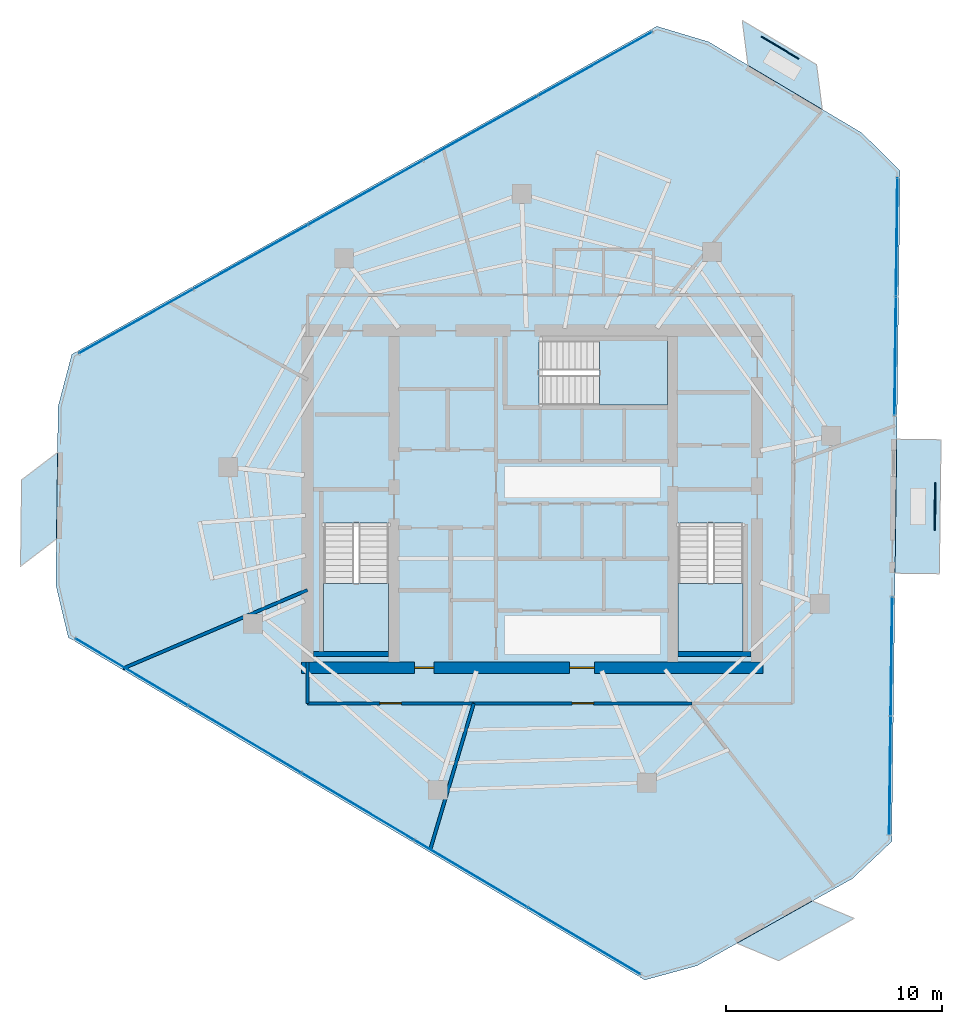
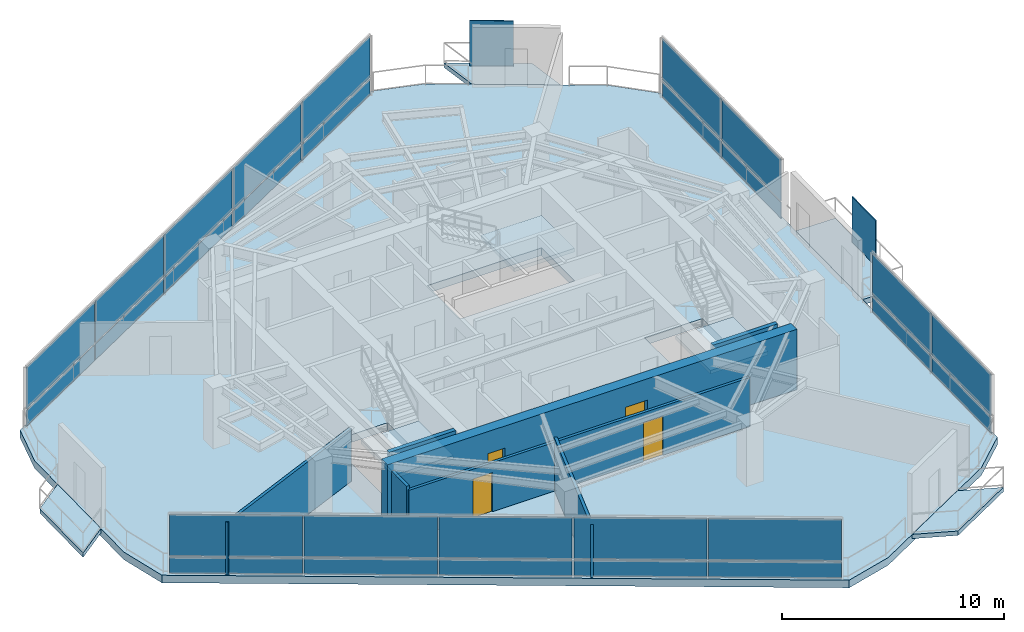
# One storey, part 13 of 18: 30 plates, 8 slabs, 8 walls, 4 doors, 4 openings, 7 elements without a shape of their own.
"""IFC4 building model written with IfcOpenShell, lengths in metres."""

from ifc_helpers import new_model, si_unit, direction, frame, frame_2d, origin, origin_2d, place, context, subcontext, project, spatial, polyline, rectangle, outline, extrude, material, layer, layer_set, type_object, element, fill, aggregate, save


model = new_model("IFC4")

# Units and contexts
model_context = context("Model", 3, precision=1e-05, world=origin(), true_north=direction((0.0, 1.0)))
body_context = subcontext(model_context, "Body", "Model", "MODEL_VIEW")
ifc_project = project(units=[si_unit("LENGTHUNIT", "METRE"), si_unit("AREAUNIT", "SQUARE_METRE"), si_unit("VOLUMEUNIT", "CUBIC_METRE"), si_unit("PLANEANGLEUNIT", "RADIAN"), si_unit("MASSUNIT", "GRAM", prefix="KILO")], contexts=[model_context])

# Site, building, storey
site_placement = place(None, origin())
site = spatial("IfcSite", under=ifc_project, at=site_placement, CompositionType="ELEMENT")
building_placement = place(site_placement, origin())
building = spatial("IfcBuilding", under=site, at=building_placement, Name="Qarnah Convention Tower", CompositionType="ELEMENT")
storey_placement = place(building_placement, frame((0.0, 0.0, 177.0)))
storey = spatial("IfcBuildingStorey", under=building, at=storey_placement, Name="L47", CompositionType="ELEMENT", Elevation=177.0)

# Curtain wall, plates
ifc_material_1 = material(Name="Tempered Low-E dark glass", Category="glass")
ifc_layer_1 = layer(ifc_material_1, 0.174072265625)
ifc_layer_set_1 = layer_set([ifc_layer_1], Name="Tempered Low-E dark glass")
curtain_wall_type = type_object("IfcCurtainWallType", Name="CWS-04", PredefinedType="NOTDEFINED", material=ifc_layer_set_1)
curtain_wall_1_placement = place(storey_placement, origin())
curtain_wall_1 = element("IfcCurtainWall", 1, at=curtain_wall_1_placement, inside=storey, type_object=curtain_wall_type, Name="L47 unitised curtain wall CW-L47-F1", PredefinedType="NOTDEFINED")
ifc_layer_2 = layer(ifc_material_1, 0.033935546875)
ifc_layer_set_2 = layer_set([ifc_layer_2], Name="Tempered Low-E dark glass")
plate_type_1 = type_object("IfcPlateType", Name="PNL-T4", PredefinedType="CURTAIN_PANEL", material=ifc_layer_set_2)
plate_1_placement = place(storey_placement, frame((39.593017578125, 5.963623046875, 0.0400390625), z_axis=(0.0, 0.0, 1.0), x_axis=(-0.859654078443, 0.510876565734, 0.0)))
plate_1 = element("IfcPlate", 2, at=plate_1_placement, type_object=plate_type_1, Name="CW-L47-F1 curtain panel 1.1", PredefinedType="CURTAIN_PANEL", context=body_context, shape_type="SweptSolid", body=[
    extrude(rectangle(XDim=6.00634765625, YDim=0.033935546875, at=origin_2d()), origin(), (0.0, 0.0, 1.0), 0.8701171875),
])
plate_2_placement = place(storey_placement, frame((39.593017578125, 5.963623046875, 0.989990234375), z_axis=(0.0, 0.0, 1.0), x_axis=(-0.859654078443, 0.510876565734, 0.0)))
plate_2 = element("IfcPlate", 3, at=plate_2_placement, type_object=plate_type_1, Name="CW-L47-F1 curtain panel 1.2", PredefinedType="CURTAIN_PANEL", context=body_context, shape_type="SweptSolid", body=[
    extrude(rectangle(XDim=6.00634765625, YDim=0.033935546875, at=origin_2d()), origin(), (0.0, 0.0, 1.0), 2.2900390625),
])
plate_3_placement = place(storey_placement, frame((34.360595703125, 9.072998046875, 0.0400390625), z_axis=(0.0, 0.0, 1.0), x_axis=(-0.859654078443, 0.510876565734, 0.0)))
plate_3 = element("IfcPlate", 4, at=plate_3_placement, type_object=plate_type_1, Name="CW-L47-F1 curtain panel 2.1", PredefinedType="CURTAIN_PANEL", context=body_context, shape_type="SweptSolid", body=[
    extrude(rectangle(XDim=6.00634765625, YDim=0.033935546875, at=origin_2d()), origin(), (0.0, 0.0, 1.0), 0.8701171875),
])
plate_4_placement = place(storey_placement, frame((34.360595703125, 9.072998046875, 0.989990234375), z_axis=(0.0, 0.0, 1.0), x_axis=(-0.859654078443, 0.510876565734, 0.0)))
plate_4 = element("IfcPlate", 5, at=plate_4_placement, type_object=plate_type_1, Name="CW-L47-F1 curtain panel 2.2", PredefinedType="CURTAIN_PANEL", context=body_context, shape_type="SweptSolid", body=[
    extrude(rectangle(XDim=6.00634765625, YDim=0.033935546875, at=origin_2d()), origin(), (0.0, 0.0, 1.0), 2.2900390625),
])
plate_5_placement = place(storey_placement, frame((29.12841796875, 12.1826171875, 0.0400390625), z_axis=(0.0, 0.0, 1.0), x_axis=(-0.859654078443, 0.510876565734, 0.0)))
plate_5 = element("IfcPlate", 6, at=plate_5_placement, type_object=plate_type_1, Name="CW-L47-F1 curtain panel 3.1", PredefinedType="CURTAIN_PANEL", context=body_context, shape_type="SweptSolid", body=[
    extrude(rectangle(XDim=6.00634765625, YDim=0.033935546875, at=origin_2d()), origin(), (0.0, 0.0, 1.0), 0.8701171875),
])
plate_6_placement = place(storey_placement, frame((29.12841796875, 12.1826171875, 0.989990234375), z_axis=(0.0, 0.0, 1.0), x_axis=(-0.859654078443, 0.510876565734, 0.0)))
plate_6 = element("IfcPlate", 7, at=plate_6_placement, type_object=plate_type_1, Name="CW-L47-F1 curtain panel 3.2", PredefinedType="CURTAIN_PANEL", context=body_context, shape_type="SweptSolid", body=[
    extrude(rectangle(XDim=6.00634765625, YDim=0.033935546875, at=origin_2d()), origin(), (0.0, 0.0, 1.0), 2.2900390625),
])
plate_7_placement = place(storey_placement, frame((23.896240234375, 15.2919921875, 0.0400390625), z_axis=(0.0, 0.0, 1.0), x_axis=(-0.859654078443, 0.510876565734, 0.0)))
plate_7 = element("IfcPlate", 8, at=plate_7_placement, type_object=plate_type_1, Name="CW-L47-F1 curtain panel 4.1", PredefinedType="CURTAIN_PANEL", context=body_context, shape_type="SweptSolid", body=[
    extrude(rectangle(XDim=6.00634765625, YDim=0.033935546875, at=origin_2d()), origin(), (0.0, 0.0, 1.0), 0.8701171875),
])
plate_8_placement = place(storey_placement, frame((23.896240234375, 15.2919921875, 0.989990234375), z_axis=(0.0, 0.0, 1.0), x_axis=(-0.859654078443, 0.510876565734, 0.0)))
plate_8 = element("IfcPlate", 9, at=plate_8_placement, type_object=plate_type_1, Name="CW-L47-F1 curtain panel 4.2", PredefinedType="CURTAIN_PANEL", context=body_context, shape_type="SweptSolid", body=[
    extrude(rectangle(XDim=6.00634765625, YDim=0.033935546875, at=origin_2d()), origin(), (0.0, 0.0, 1.0), 2.2900390625),
])
plate_9_placement = place(storey_placement, frame((18.6640625, 18.4013671875, 0.0400390625), z_axis=(0.0, 0.0, 1.0), x_axis=(-0.859654078443, 0.510876565734, 0.0)))
plate_9 = element("IfcPlate", 10, at=plate_9_placement, type_object=plate_type_1, Name="CW-L47-F1 curtain panel 5.1", PredefinedType="CURTAIN_PANEL", context=body_context, shape_type="SweptSolid", body=[
    extrude(rectangle(XDim=6.00634765625, YDim=0.033935546875, at=origin_2d()), origin(), (0.0, 0.0, 1.0), 0.8701171875),
])
plate_10_placement = place(storey_placement, frame((18.6640625, 18.4013671875, 0.989990234375), z_axis=(0.0, 0.0, 1.0), x_axis=(-0.859654078443, 0.510876565734, 0.0)))
plate_10 = element("IfcPlate", 11, at=plate_10_placement, type_object=plate_type_1, Name="CW-L47-F1 curtain panel 5.2", PredefinedType="CURTAIN_PANEL", context=body_context, shape_type="SweptSolid", body=[
    extrude(rectangle(XDim=6.00634765625, YDim=0.033935546875, at=origin_2d()), origin(), (0.0, 0.0, 1.0), 2.2900390625),
])
aggregate(curtain_wall_1, [plate_1, plate_2, plate_3, plate_4, plate_5, plate_6, plate_7, plate_8, plate_9, plate_10])

curtain_wall_2_placement = place(storey_placement, origin())
curtain_wall_2 = element("IfcCurtainWall", 12, at=curtain_wall_2_placement, inside=storey, type_object=curtain_wall_type, Name="L47 unitised curtain wall CW-L47-F2", PredefinedType="NOTDEFINED")
plate_11_placement = place(storey_placement, frame((18.868408203125, 34.63330078125, 0.0400390625), z_axis=(0.0, 0.0, 1.0), x_axis=(0.872234676791, 0.489087587865, 0.0)))
plate_11 = element("IfcPlate", 13, at=plate_11_placement, type_object=plate_type_1, Name="CW-L47-F2 curtain panel 1.1", PredefinedType="CURTAIN_PANEL", context=body_context, shape_type="SweptSolid", body=[
    extrude(rectangle(XDim=6.00634765625, YDim=0.033935546875, at=origin_2d()), origin(), (0.0, 0.0, 1.0), 0.8701171875),
])
plate_12_placement = place(storey_placement, frame((18.868408203125, 34.63330078125, 0.989990234375), z_axis=(0.0, 0.0, 1.0), x_axis=(0.872234676791, 0.489087587865, 0.0)))
plate_12 = element("IfcPlate", 14, at=plate_12_placement, type_object=plate_type_1, Name="CW-L47-F2 curtain panel 1.2", PredefinedType="CURTAIN_PANEL", context=body_context, shape_type="SweptSolid", body=[
    extrude(rectangle(XDim=6.00634765625, YDim=0.033935546875, at=origin_2d()), origin(), (0.0, 0.0, 1.0), 2.2900390625),
])
plate_13_placement = place(storey_placement, frame((24.17724609375, 37.610107421875, 0.0400390625), z_axis=(0.0, 0.0, 1.0), x_axis=(0.872234676791, 0.489087587865, 0.0)))
plate_13 = element("IfcPlate", 15, at=plate_13_placement, type_object=plate_type_1, Name="CW-L47-F2 curtain panel 2.1", PredefinedType="CURTAIN_PANEL", context=body_context, shape_type="SweptSolid", body=[
    extrude(rectangle(XDim=6.00634765625, YDim=0.033935546875, at=origin_2d()), origin(), (0.0, 0.0, 1.0), 0.8701171875),
])
plate_14_placement = place(storey_placement, frame((24.17724609375, 37.610107421875, 0.989990234375), z_axis=(0.0, 0.0, 1.0), x_axis=(0.872234676791, 0.489087587865, 0.0)))
plate_14 = element("IfcPlate", 16, at=plate_14_placement, type_object=plate_type_1, Name="CW-L47-F2 curtain panel 2.2", PredefinedType="CURTAIN_PANEL", context=body_context, shape_type="SweptSolid", body=[
    extrude(rectangle(XDim=6.00634765625, YDim=0.033935546875, at=origin_2d()), origin(), (0.0, 0.0, 1.0), 2.2900390625),
])
plate_15_placement = place(storey_placement, frame((29.486083984375, 40.5869140625, 0.0400390625), z_axis=(0.0, 0.0, 1.0), x_axis=(0.872234676791, 0.489087587865, 0.0)))
plate_15 = element("IfcPlate", 17, at=plate_15_placement, type_object=plate_type_1, Name="CW-L47-F2 curtain panel 3.1", PredefinedType="CURTAIN_PANEL", context=body_context, shape_type="SweptSolid", body=[
    extrude(rectangle(XDim=6.00634765625, YDim=0.033935546875, at=origin_2d()), origin(), (0.0, 0.0, 1.0), 0.8701171875),
])
plate_16_placement = place(storey_placement, frame((29.486083984375, 40.5869140625, 0.989990234375), z_axis=(0.0, 0.0, 1.0), x_axis=(0.872234676791, 0.489087587865, 0.0)))
plate_16 = element("IfcPlate", 18, at=plate_16_placement, type_object=plate_type_1, Name="CW-L47-F2 curtain panel 3.2", PredefinedType="CURTAIN_PANEL", context=body_context, shape_type="SweptSolid", body=[
    extrude(rectangle(XDim=6.00634765625, YDim=0.033935546875, at=origin_2d()), origin(), (0.0, 0.0, 1.0), 2.2900390625),
])
plate_17_placement = place(storey_placement, frame((34.794921875, 43.563720703125, 0.0400390625), z_axis=(0.0, 0.0, 1.0), x_axis=(0.872234676791, 0.489087587865, 0.0)))
plate_17 = element("IfcPlate", 19, at=plate_17_placement, type_object=plate_type_1, Name="CW-L47-F2 curtain panel 4.1", PredefinedType="CURTAIN_PANEL", context=body_context, shape_type="SweptSolid", body=[
    extrude(rectangle(XDim=6.00634765625, YDim=0.033935546875, at=origin_2d()), origin(), (0.0, 0.0, 1.0), 0.8701171875),
])
plate_18_placement = place(storey_placement, frame((34.794921875, 43.563720703125, 0.989990234375), z_axis=(0.0, 0.0, 1.0), x_axis=(0.872234676791, 0.489087587865, 0.0)))
plate_18 = element("IfcPlate", 20, at=plate_18_placement, type_object=plate_type_1, Name="CW-L47-F2 curtain panel 4.2", PredefinedType="CURTAIN_PANEL", context=body_context, shape_type="SweptSolid", body=[
    extrude(rectangle(XDim=6.00634765625, YDim=0.033935546875, at=origin_2d()), origin(), (0.0, 0.0, 1.0), 2.2900390625),
])
plate_19_placement = place(storey_placement, frame((40.103515625, 46.54052734375, 0.0400390625), z_axis=(0.0, 0.0, 1.0), x_axis=(0.872234676791, 0.489087587865, 0.0)))
plate_19 = element("IfcPlate", 21, at=plate_19_placement, type_object=plate_type_1, Name="CW-L47-F2 curtain panel 5.1", PredefinedType="CURTAIN_PANEL", context=body_context, shape_type="SweptSolid", body=[
    extrude(rectangle(XDim=6.00634765625, YDim=0.033935546875, at=origin_2d()), origin(), (0.0, 0.0, 1.0), 0.8701171875),
])
plate_20_placement = place(storey_placement, frame((40.103515625, 46.54052734375, 0.989990234375), z_axis=(0.0, 0.0, 1.0), x_axis=(0.872234676791, 0.489087587865, 0.0)))
plate_20 = element("IfcPlate", 22, at=plate_20_placement, type_object=plate_type_1, Name="CW-L47-F2 curtain panel 5.2", PredefinedType="CURTAIN_PANEL", context=body_context, shape_type="SweptSolid", body=[
    extrude(rectangle(XDim=6.00634765625, YDim=0.033935546875, at=origin_2d()), origin(), (0.0, 0.0, 1.0), 2.2900390625),
])
aggregate(curtain_wall_2, [plate_11, plate_12, plate_13, plate_14, plate_15, plate_16, plate_17, plate_18, plate_19, plate_20])

curtain_wall_3_placement = place(storey_placement, origin())
curtain_wall_3 = element("IfcCurtainWall", 23, at=curtain_wall_3_placement, inside=storey, type_object=curtain_wall_type, Name="L47 unitised curtain wall CW-L47-F3", PredefinedType="NOTDEFINED")
plate_21_placement = place(storey_placement, frame((54.0625, 38.533935546875, 0.0400390625), z_axis=(0.0, 0.0, 1.0), x_axis=(-0.012512619555, -0.999921714112, 0.0)))
plate_21 = element("IfcPlate", 24, at=plate_21_placement, type_object=plate_type_1, Name="CW-L47-F3 curtain panel 1.1", PredefinedType="CURTAIN_PANEL", context=body_context, shape_type="SweptSolid", body=[
    extrude(rectangle(XDim=5.434326171875, YDim=0.033935546875, at=origin_2d()), origin(), (0.0, 0.0, 1.0), 0.8701171875),
])
plate_22_placement = place(storey_placement, frame((54.0625, 38.533935546875, 0.989990234375), z_axis=(0.0, 0.0, 1.0), x_axis=(-0.012512619555, -0.999921714112, 0.0)))
plate_22 = element("IfcPlate", 25, at=plate_22_placement, type_object=plate_type_1, Name="CW-L47-F3 curtain panel 1.2", PredefinedType="CURTAIN_PANEL", context=body_context, shape_type="SweptSolid", body=[
    extrude(rectangle(XDim=5.434326171875, YDim=0.033935546875, at=origin_2d()), origin(), (0.0, 0.0, 1.0), 2.2900390625),
])
plate_23_placement = place(storey_placement, frame((53.993408203125, 33.02001953125, 0.0400390625), z_axis=(0.0, 0.0, 1.0), x_axis=(-0.012512619555, -0.999921714112, 0.0)))
plate_23 = element("IfcPlate", 26, at=plate_23_placement, type_object=plate_type_1, Name="CW-L47-F3 curtain panel 2.1", PredefinedType="CURTAIN_PANEL", context=body_context, shape_type="SweptSolid", body=[
    extrude(rectangle(XDim=5.434326171875, YDim=0.033935546875, at=origin_2d()), origin(), (0.0, 0.0, 1.0), 0.8701171875),
])
plate_24_placement = place(storey_placement, frame((53.993408203125, 33.02001953125, 0.989990234375), z_axis=(0.0, 0.0, 1.0), x_axis=(-0.012512619555, -0.999921714112, 0.0)))
plate_24 = element("IfcPlate", 27, at=plate_24_placement, type_object=plate_type_1, Name="CW-L47-F3 curtain panel 2.2", PredefinedType="CURTAIN_PANEL", context=body_context, shape_type="SweptSolid", body=[
    extrude(rectangle(XDim=5.434326171875, YDim=0.033935546875, at=origin_2d()), origin(), (0.0, 0.0, 1.0), 2.2900390625),
])
aggregate(curtain_wall_3, [plate_21, plate_22, plate_23, plate_24])

curtain_wall_4_placement = place(storey_placement, origin())
curtain_wall_4 = element("IfcCurtainWall", 28, at=curtain_wall_4_placement, inside=storey, type_object=curtain_wall_type, Name="L47 unitised curtain wall CW-L47-F4", PredefinedType="NOTDEFINED")
plate_25_placement = place(storey_placement, frame((53.818603515625, 19.13134765625, 0.0400390625), z_axis=(0.0, 0.0, 1.0), x_axis=(-0.01251375393, -0.999921699916, 0.0)))
plate_25 = element("IfcPlate", 29, at=plate_25_placement, type_object=plate_type_1, Name="CW-L47-F4 curtain panel 1.1", PredefinedType="CURTAIN_PANEL", context=body_context, shape_type="SweptSolid", body=[
    extrude(rectangle(XDim=5.433837890625, YDim=0.033935546875, at=origin_2d()), origin(), (0.0, 0.0, 1.0), 0.8701171875),
])
plate_26_placement = place(storey_placement, frame((53.818603515625, 19.13134765625, 0.989990234375), z_axis=(0.0, 0.0, 1.0), x_axis=(-0.01251375393, -0.999921699916, 0.0)))
plate_26 = element("IfcPlate", 30, at=plate_26_placement, type_object=plate_type_1, Name="CW-L47-F4 curtain panel 1.2", PredefinedType="CURTAIN_PANEL", context=body_context, shape_type="SweptSolid", body=[
    extrude(rectangle(XDim=5.433837890625, YDim=0.033935546875, at=origin_2d()), origin(), (0.0, 0.0, 1.0), 2.2900390625),
])
plate_27_placement = place(storey_placement, frame((53.74951171875, 13.61767578125, 0.0400390625), z_axis=(0.0, 0.0, 1.0), x_axis=(-0.01251375393, -0.999921699916, 0.0)))
plate_27 = element("IfcPlate", 31, at=plate_27_placement, type_object=plate_type_1, Name="CW-L47-F4 curtain panel 2.1", PredefinedType="CURTAIN_PANEL", context=body_context, shape_type="SweptSolid", body=[
    extrude(rectangle(XDim=5.433837890625, YDim=0.033935546875, at=origin_2d()), origin(), (0.0, 0.0, 1.0), 0.8701171875),
])
plate_28_placement = place(storey_placement, frame((53.74951171875, 13.61767578125, 0.989990234375), z_axis=(0.0, 0.0, 1.0), x_axis=(-0.01251375393, -0.999921699916, 0.0)))
plate_28 = element("IfcPlate", 32, at=plate_28_placement, type_object=plate_type_1, Name="CW-L47-F4 curtain panel 2.2", PredefinedType="CURTAIN_PANEL", context=body_context, shape_type="SweptSolid", body=[
    extrude(rectangle(XDim=5.433837890625, YDim=0.033935546875, at=origin_2d()), origin(), (0.0, 0.0, 1.0), 2.2900390625),
])
aggregate(curtain_wall_4, [plate_25, plate_26, plate_27, plate_28])

# Plates
ifc_material_2 = material(Name="Black anodised aluminium", Category="aluminium")
ifc_layer_3 = layer(ifc_material_2, 0.044921875)
ifc_layer_set_3 = layer_set([ifc_layer_3], Name="Black anodised aluminium")
plate_type_2 = type_object("IfcPlateType", Name="SCR-BAL-18", PredefinedType="USERDEFINED", material=ifc_layer_set_3)
plate_29_placement = place(storey_placement, frame((48.6630859375, 47.2900390625, 0.0), z_axis=(0.0, 0.0, 1.0), x_axis=(0.859624964746, -0.510925552293, 0.0)))
element("IfcPlate", 33, at=plate_29_placement, inside=storey, type_object=plate_type_2, Name="L47 perforated desert solar screen BAL-L47-C1", ObjectType="SCREEN", PredefinedType="USERDEFINED", context=body_context, shape_type="SweptSolid", body=[
    extrude(rectangle(XDim=2.0, YDim=0.044921875, at=origin_2d()), origin(), (0.0, 0.0, 1.0), 2.5),
])
ifc_layer_4 = layer(ifc_material_2, 0.054931640625)
ifc_layer_set_4 = layer_set([ifc_layer_4], Name="Black anodised aluminium")
plate_type_3 = type_object("IfcPlateType", Name="SCR-SKG-24", PredefinedType="USERDEFINED", material=ifc_layer_set_4)
plate_30_placement = place(storey_placement, frame((55.83203125, 26.052001953125, 0.0), z_axis=(0.0, 0.0, 1.0), x_axis=(-0.012581746605, -0.999920846694, 0.0)))
element("IfcPlate", 34, at=plate_30_placement, inside=storey, type_object=plate_type_3, Name="L47 perforated desert solar screen SG-L47", ObjectType="SCREEN", PredefinedType="USERDEFINED", context=body_context, shape_type="SweptSolid", body=[
    extrude(rectangle(XDim=2.199951171875, YDim=0.054931640625, at=origin_2d()), origin(), (0.0, 0.0, 1.0), 2.5),
])

# Slabs
ifc_material_3 = material(Name="Concrete C45/55", Category="concrete")
ifc_layer_5 = layer(ifc_material_3, 0.239990234375)
ifc_layer_set_5 = layer_set([ifc_layer_5], Name="Concrete C45/55")
slab_type_1 = type_object("IfcSlabType", Name="SLB-BAL-240", PredefinedType="USERDEFINED", material=ifc_layer_set_5)
slab_1_placement = place(storey_placement, frame((0.0, 0.0, -0.239990234375)))
element("IfcSlab", 35, at=slab_1_placement, inside=storey, type_object=slab_type_1, Name="L47 cantilevered balcony slab BAL-L47-C1", ObjectType="BALCONY", PredefinedType="USERDEFINED", context=body_context, shape_type="SweptSolid", body=[
    extrude(outline(polyline([(46.9130859375, 48.550048828125), (50.35205078125, 46.506103515625), (50.616943359375, 44.429931640625), (47.177978515625, 46.472900390625), (46.9130859375, 48.550048828125)])), origin(), (0.0, 0.0, 1.0), 0.239990234375),
])
slab_2_placement = place(storey_placement, frame((0.0, 0.0, -0.239990234375)))
element("IfcSlab", 36, at=slab_2_placement, inside=storey, type_object=slab_type_1, Name="L47 cantilevered balcony slab BAL-L47-C2", ObjectType="BALCONY", PredefinedType="USERDEFINED", context=body_context, shape_type="SweptSolid", body=[
    extrude(outline(polyline([(13.52001953125, 23.2939453125), (13.570068359375, 27.2939453125), (15.235107421875, 28.56103515625), (15.18505859375, 24.56103515625), (13.52001953125, 23.2939453125)])), origin(), (0.0, 0.0, 1.0), 0.239990234375),
])
slab_3_placement = place(storey_placement, frame((0.0, 0.0, -0.239990234375)))
element("IfcSlab", 37, at=slab_3_placement, inside=storey, type_object=slab_type_1, Name="L47 cantilevered balcony slab BAL-L47-C3", ObjectType="BALCONY", PredefinedType="USERDEFINED", context=body_context, shape_type="SweptSolid", body=[
    extrude(outline(polyline([(52.087890625, 7.001953125), (48.59912109375, 5.0458984375), (46.6689453125, 5.85400390625), (50.157958984375, 7.81005859375), (52.087890625, 7.001953125)])), origin(), (0.0, 0.0, 1.0), 0.239990234375),
])

# Stair, slab
ifc_material_4 = material(Name="Concrete C50/60", Category="concrete")
stair_type = type_object("IfcStairType", Name="STR-OFF", PredefinedType="HALF_TURN_STAIR", material=ifc_material_4)
stair_1_placement = place(storey_placement, origin())
stair_1 = element("IfcStair", 38, at=stair_1_placement, inside=storey, type_object=stair_type, Name="L47 Core exit stair ST-1", PredefinedType="HALF_TURN_STAIR")
ifc_layer_6 = layer(ifc_material_4, 0.199951171875)
ifc_layer_set_6 = layer_set([ifc_layer_6], Name="Concrete C50/60")
slab_type_2 = type_object("IfcSlabType", Name="SLB-LANDING-200", PredefinedType="LANDING", material=ifc_layer_set_6)
slab_4_placement = place(storey_placement, frame((0.0, 0.0, 1.60009765625)))
slab_4 = element("IfcSlab", 39, at=slab_4_placement, type_object=slab_type_2, Name="ST-1 landing 1", PredefinedType="LANDING", context=body_context, shape_type="SweptSolid", body=[
    extrude(outline(polyline([(27.550048828125, 22.5), (27.550048828125, 19.35009765625), (30.550048828125, 19.35009765625), (30.550048828125, 22.5), (27.550048828125, 22.5)])), origin(), (0.0, 0.0, 1.0), 0.199951171875),
])
aggregate(stair_1, [slab_4])

stair_2_placement = place(storey_placement, origin())
stair_2 = element("IfcStair", 40, at=stair_2_placement, inside=storey, type_object=stair_type, Name="L47 Core exit stair ST-2", PredefinedType="HALF_TURN_STAIR")
slab_5_placement = place(storey_placement, frame((0.0, 0.0, 1.60009765625)))
slab_5 = element("IfcSlab", 41, at=slab_5_placement, type_object=slab_type_2, Name="ST-2 landing 1", PredefinedType="LANDING", context=body_context, shape_type="SweptSolid", body=[
    extrude(outline(polyline([(43.949951171875, 22.5), (43.949951171875, 19.35009765625), (46.949951171875, 19.35009765625), (46.949951171875, 22.5), (43.949951171875, 22.5)])), origin(), (0.0, 0.0, 1.0), 0.199951171875),
])
aggregate(stair_2, [slab_5])

stair_3_placement = place(storey_placement, origin())
stair_3 = element("IfcStair", 42, at=stair_3_placement, inside=storey, type_object=stair_type, Name="L47 Core exit stair ST-3", PredefinedType="HALF_TURN_STAIR")
slab_6_placement = place(storey_placement, frame((0.0, 0.0, 1.60009765625)))
slab_6 = element("IfcSlab", 43, at=slab_6_placement, type_object=slab_type_2, Name="ST-3 landing 1", PredefinedType="LANDING", context=body_context, shape_type="SweptSolid", body=[
    extrude(outline(polyline([(40.300048828125, 30.75), (43.449951171875, 30.75), (43.449951171875, 33.75), (40.300048828125, 33.75), (40.300048828125, 30.75)])), origin(), (0.0, 0.0, 1.0), 0.199951171875),
])
aggregate(stair_3, [slab_6])

# Slabs
ifc_layer_7 = layer(ifc_material_4, 0.300048828125)
ifc_layer_set_7 = layer_set([ifc_layer_7], Name="Concrete C50/60")
slab_type_3 = type_object("IfcSlabType", Name="SLB-SKG-300", PredefinedType="USERDEFINED", material=ifc_layer_set_7)
slab_7_placement = place(storey_placement, frame((0.0, 0.0, -0.300048828125)))
element("IfcSlab", 44, at=slab_7_placement, inside=storey, type_object=slab_type_3, Name="L47 cantilevered balcony slab SG-L47", ObjectType="BALCONY", PredefinedType="USERDEFINED", context=body_context, shape_type="SweptSolid", body=[
    extrude(outline(polyline([(54.06103515625, 29.174072265625), (56.111083984375, 29.14794921875), (56.032958984375, 22.948974609375), (53.98291015625, 22.97509765625), (54.02197265625, 26.052001953125), (54.06103515625, 29.174072265625)])), origin(), (0.0, 0.0, 1.0), 0.300048828125),
])
ifc_layer_8 = layer(ifc_material_4, 0.419921875)
ifc_layer_set_8 = layer_set([ifc_layer_8], Name="Concrete C50/60")
slab_type_4 = type_object("IfcSlabType", Name="SLB-TRF-420", PredefinedType="FLOOR", material=ifc_layer_set_8)
slab_8_placement = place(storey_placement, frame((0.0, 0.0, -0.419921875)))
element("IfcSlab", 45, at=slab_8_placement, inside=storey, type_object=slab_type_4, Name="L47 structural floor slab", PredefinedType="FLOOR", context=body_context, shape_type="SweptSolid", body=[
    extrude(outline(polyline([(42.9609375, 48.280029296875), (15.89404296875, 33.10302734375), (15.258056640625, 30.68310546875), (15.154052734375, 22.44091796875), (15.72900390625, 20.006103515625), (42.406005859375, 4.153076171875), (44.820068359375, 4.81298828125), (52.010009765625, 8.843994140625), (53.8310546875, 10.56005859375), (54.220947265625, 41.589111328125), (52.443115234375, 43.35009765625), (45.35693359375, 47.56005859375), (42.9609375, 48.280029296875)]), holes=[polyline([(27.550048828125, 25.300048828125), (27.550048828125, 19.35009765625), (30.550048828125, 19.35009765625), (30.550048828125, 25.300048828125), (27.550048828125, 25.300048828125)]), polyline([(43.949951171875, 25.300048828125), (43.949951171875, 19.35009765625), (46.949951171875, 19.35009765625), (46.949951171875, 25.300048828125), (43.949951171875, 25.300048828125)]), polyline([(37.5, 30.75), (43.449951171875, 30.75), (43.449951171875, 33.75), (37.5, 33.75), (37.5, 30.75)])]), origin(), (0.0, 0.0, 1.0), 0.419921875),
])

# Wall, openings, doors
ifc_material_5 = material(Name="Concrete C60/75", Category="concrete")
ifc_layer_9 = layer(ifc_material_5, 0.550048828125)
ifc_layer_set_9 = layer_set([ifc_layer_9], Name="Concrete C60/75")
wall_type_1 = type_object("IfcWallType", Name="WL-CORE-550", PredefinedType="SHEAR", material=ifc_layer_set_9)
wall_1_placement = place(storey_placement, frame((26.52490234375, 18.60009765625, 0.0), z_axis=(0.0, 0.0, 1.0), x_axis=(1.0, 0.0, 0.0)))
wall_1 = element("IfcWall", 46, at=wall_1_placement, inside=storey, type_object=wall_type_1, Name="L47 core south shear wall", PredefinedType="SHEAR", context=body_context, shape_type="SweptSolid", body=[
    extrude(rectangle(XDim=21.35009765625, YDim=0.550048828125, at=frame_2d((10.675048828125, 0.0))), origin(), (0.0, 0.0, 1.0), 3.320068359375),
])
opening_1_placement = place(wall_1_placement, frame((12.39990234375, 0.0, 0.0)))
opening_1 = element("IfcOpeningElement", 47, at=opening_1_placement, cuts=wall_1, Name="Opening D-4707", PredefinedType="OPENING", context=body_context, shape_type="SweptSolid", body=[
    extrude(rectangle(XDim=1.14990234375, YDim=2.14990234375, at=frame_2d((0.574951171875, 1.074951171875))), frame((0.0, 0.284912109375, 0.0), z_axis=(0.0, -1.0, 0.0), x_axis=(1.0, 0.0, 0.0)), (0.0, 0.0, 1.0), 0.570068359375),
])
opening_2_placement = place(wall_1_placement, frame((5.22509765625, 0.0, 0.0)))
opening_2 = element("IfcOpeningElement", 48, at=opening_2_placement, cuts=wall_1, Name="Opening D-4713", PredefinedType="OPENING", context=body_context, shape_type="SweptSolid", body=[
    extrude(rectangle(XDim=0.89990234375, YDim=2.10009765625, at=frame_2d((0.449951171875, 1.050048828125))), frame((0.0, 0.284912109375, 0.0), z_axis=(0.0, -1.0, 0.0), x_axis=(1.0, 0.0, 0.0)), (0.0, 0.0, 1.0), 0.570068359375),
])
ifc_material_6 = material(Name="Structural steel S355JR", Category="steel")
door_type_1 = type_object("IfcDoorType", Name="DT-LOBBY-1150", OperationType="NOTDEFINED", PredefinedType="DOOR", material=ifc_material_6)
door_1_placement = place(opening_1_placement, origin())
door_1 = element("IfcDoor", 49, at=door_1_placement, inside=storey, type_object=door_type_1, Name="Door D-4707", OperationType="SINGLE_SWING_RIGHT", OverallHeight=2.14990234375, OverallWidth=1.14990234375, PredefinedType="DOOR", context=body_context, shape_type="SweptSolid", body=[
    extrude(rectangle(XDim=1.14990234375, YDim=2.14990234375, at=frame_2d((0.574951171875, 1.074951171875))), frame((0.0, 0.02490234375, 0.0), z_axis=(0.0, -1.0, 0.0), x_axis=(1.0, 0.0, 0.0)), (0.0, 0.0, 1.0), 0.050048828125),
])
fill(opening_1, door_1)
door_type_2 = type_object("IfcDoorType", Name="DT-RISER-900", OperationType="NOTDEFINED", PredefinedType="DOOR", material=ifc_material_6)
door_2_placement = place(opening_2_placement, origin())
door_2 = element("IfcDoor", 50, at=door_2_placement, inside=storey, type_object=door_type_2, Name="Door D-4713", OperationType="SINGLE_SWING_RIGHT", OverallHeight=2.10009765625, OverallWidth=0.89990234375, PredefinedType="DOOR", context=body_context, shape_type="SweptSolid", body=[
    extrude(rectangle(XDim=0.89990234375, YDim=2.10009765625, at=frame_2d((0.449951171875, 1.050048828125))), frame((0.0, 0.02490234375, 0.0), z_axis=(0.0, -1.0, 0.0), x_axis=(1.0, 0.0, 0.0)), (0.0, 0.0, 1.0), 0.050048828125),
])
fill(opening_2, door_2)

# Walls
ifc_layer_10 = layer(ifc_material_5, 0.219970703125)
ifc_layer_set_10 = layer_set([ifc_layer_10], Name="Concrete C60/75")
wall_type_2 = type_object("IfcWallType", Name="WL-CORE-STAIR-220", PredefinedType="SHEAR", material=ifc_layer_set_10)
wall_2_placement = place(storey_placement, frame((27.074951171875, 19.239990234375, 0.0), z_axis=(0.0, 0.0, 1.0), x_axis=(1.0, 0.0, 0.0)))
element("IfcWall", 51, at=wall_2_placement, inside=storey, type_object=wall_type_2, Name="L47 stair shaft shear wall SW-L47-ST1S", PredefinedType="SHEAR", context=body_context, shape_type="SweptSolid", body=[
    extrude(rectangle(XDim=3.47509765625, YDim=0.219970703125, at=frame_2d((1.737548828125, 0.0))), origin(), (0.0, 0.0, 1.0), 3.320068359375),
])
wall_3_placement = place(storey_placement, frame((43.949951171875, 19.239990234375, 0.0), z_axis=(0.0, 0.0, 1.0), x_axis=(1.0, 0.0, 0.0)))
element("IfcWall", 52, at=wall_3_placement, inside=storey, type_object=wall_type_2, Name="L47 stair shaft shear wall SW-L47-ST2S", PredefinedType="SHEAR", context=body_context, shape_type="SweptSolid", body=[
    extrude(rectangle(XDim=3.375, YDim=0.219970703125, at=frame_2d((1.6875, 0.0))), origin(), (0.0, 0.0, 1.0), 3.320068359375),
])
ifc_material_7 = material(Name="Gypsum partition board")
ifc_layer_11 = layer(ifc_material_7, 0.14990234375)
ifc_layer_set_11 = layer_set([ifc_layer_11], Name="Gypsum partition board")
wall_type_3 = type_object("IfcWallType", Name="WL-SUITE-150", PredefinedType="PARTITIONING", material=ifc_layer_set_11)
wall_4_placement = place(storey_placement, frame((18.27099609375, 18.570068359375, 0.0), z_axis=(0.0, 0.0, 1.0), x_axis=(0.92021116407, 0.391422295637, 0.0)))
element("IfcWall", 53, at=wall_4_placement, inside=storey, type_object=wall_type_3, Name="L47 interior wall IW-L47-R-20", PredefinedType="PARTITIONING", context=body_context, shape_type="SweptSolid", body=[
    extrude(rectangle(XDim=9.2685546875, YDim=0.14990234375, at=frame_2d((4.63427734375, 0.0))), origin(), (0.0, 0.0, 1.0), 2.905029296875),
])
wall_5_placement = place(storey_placement, frame((32.466064453125, 10.14990234375, 0.0), z_axis=(0.0, 0.0, 1.0), x_axis=(0.285266765974, 0.958448158343, 0.0)))
element("IfcWall", 54, at=wall_5_placement, inside=storey, type_object=wall_type_3, Name="L47 interior wall IW-L47-R-21", PredefinedType="PARTITIONING", context=body_context, shape_type="SweptSolid", body=[
    extrude(rectangle(XDim=7.094970703125, YDim=0.14990234375, at=frame_2d((3.54736328125, 0.0))), origin(), (0.0, 0.0, 1.0), 2.905029296875),
])

# Wall, opening, door
wall_6_placement = place(storey_placement, frame((34.489990234375, 16.949951171875, 0.0), z_axis=(0.0, 0.0, 1.0), x_axis=(-1.0, 0.0, 0.0)))
wall_6 = element("IfcWall", 55, at=wall_6_placement, inside=storey, type_object=wall_type_3, Name="L47 interior wall IW-L47-R-22", PredefinedType="PARTITIONING", context=body_context, shape_type="SweptSolid", body=[
    extrude(rectangle(XDim=7.68994140625, YDim=0.14990234375, at=frame_2d((3.844970703125, 0.0))), origin(), (0.0, 0.0, 1.0), 2.697021484375),
])
opening_3_placement = place(wall_6_placement, frame((3.344970703125, 0.0, 0.0)))
opening_3 = element("IfcOpeningElement", 56, at=opening_3_placement, cuts=wall_6, Name="Opening D-4724", PredefinedType="OPENING", context=body_context, shape_type="SweptSolid", body=[
    extrude(rectangle(XDim=1.0, YDim=2.14990234375, at=frame_2d((0.5, 1.074951171875))), frame((0.0, 0.0849609375, 0.0), z_axis=(0.0, -1.0, 0.0), x_axis=(1.0, 0.0, 0.0)), (0.0, 0.0, 1.0), 0.169921875),
])
ifc_material_8 = material(Name="Oak timber veneer", Category="wood")
door_type_3 = type_object("IfcDoorType", Name="DT-OFFICE-1000", OperationType="NOTDEFINED", PredefinedType="DOOR", material=ifc_material_8)
door_3_placement = place(opening_3_placement, origin())
door_3 = element("IfcDoor", 57, at=door_3_placement, inside=storey, type_object=door_type_3, Name="Door D-4724", OperationType="SINGLE_SWING_LEFT", OverallHeight=2.14990234375, OverallWidth=1.0, PredefinedType="DOOR", context=body_context, shape_type="SweptSolid", body=[
    extrude(rectangle(XDim=1.0, YDim=2.14990234375, at=frame_2d((0.5, 1.074951171875))), frame((0.0, 0.02490234375, 0.0), z_axis=(0.0, -1.0, 0.0), x_axis=(1.0, 0.0, 0.0)), (0.0, 0.0, 1.0), 0.050048828125),
])
fill(opening_3, door_3)

# Wall
wall_7_placement = place(storey_placement, frame((26.800048828125, 16.949951171875, 0.0), z_axis=(0.0, 0.0, 1.0), x_axis=(0.0, 1.0, 0.0)))
element("IfcWall", 58, at=wall_7_placement, inside=storey, type_object=wall_type_3, Name="L47 interior wall IW-L47-R-23", PredefinedType="PARTITIONING", context=body_context, shape_type="SweptSolid", body=[
    extrude(rectangle(XDim=1.925048828125, YDim=0.14990234375, at=frame_2d((0.96240234375, 0.0))), origin(), (0.0, 0.0, 1.0), 2.905029296875),
])

# Wall, opening, door
wall_8_placement = place(storey_placement, frame((44.5830078125, 16.949951171875, 0.0), z_axis=(0.0, 0.0, 1.0), x_axis=(-1.0, 0.0, 0.0)))
wall_8 = element("IfcWall", 59, at=wall_8_placement, inside=storey, type_object=wall_type_3, Name="L47 interior wall IW-L47-R-25", PredefinedType="PARTITIONING", context=body_context, shape_type="SweptSolid", body=[
    extrude(rectangle(XDim=10.093017578125, YDim=0.14990234375, at=frame_2d((5.04638671875, 0.0))), origin(), (0.0, 0.0, 1.0), 2.697021484375),
])
opening_4_placement = place(wall_8_placement, frame((4.5458984375, 0.0, 0.0)))
opening_4 = element("IfcOpeningElement", 60, at=opening_4_placement, cuts=wall_8, Name="Opening D-4725", PredefinedType="OPENING", context=body_context, shape_type="SweptSolid", body=[
    extrude(rectangle(XDim=1.0, YDim=2.14990234375, at=frame_2d((0.5, 1.074951171875))), frame((0.0, 0.0849609375, 0.0), z_axis=(0.0, -1.0, 0.0), x_axis=(1.0, 0.0, 0.0)), (0.0, 0.0, 1.0), 0.169921875),
])
door_4_placement = place(opening_4_placement, origin())
door_4 = element("IfcDoor", 61, at=door_4_placement, inside=storey, type_object=door_type_3, Name="Door D-4725", OperationType="SINGLE_SWING_RIGHT", OverallHeight=2.14990234375, OverallWidth=1.0, PredefinedType="DOOR", context=body_context, shape_type="SweptSolid", body=[
    extrude(rectangle(XDim=1.0, YDim=2.14990234375, at=frame_2d((0.5, 1.074951171875))), frame((0.0, 0.02490234375, 0.0), z_axis=(0.0, -1.0, 0.0), x_axis=(1.0, 0.0, 0.0)), (0.0, 0.0, 1.0), 0.050048828125),
])
fill(opening_4, door_4)

save(model, "model.ifc")
